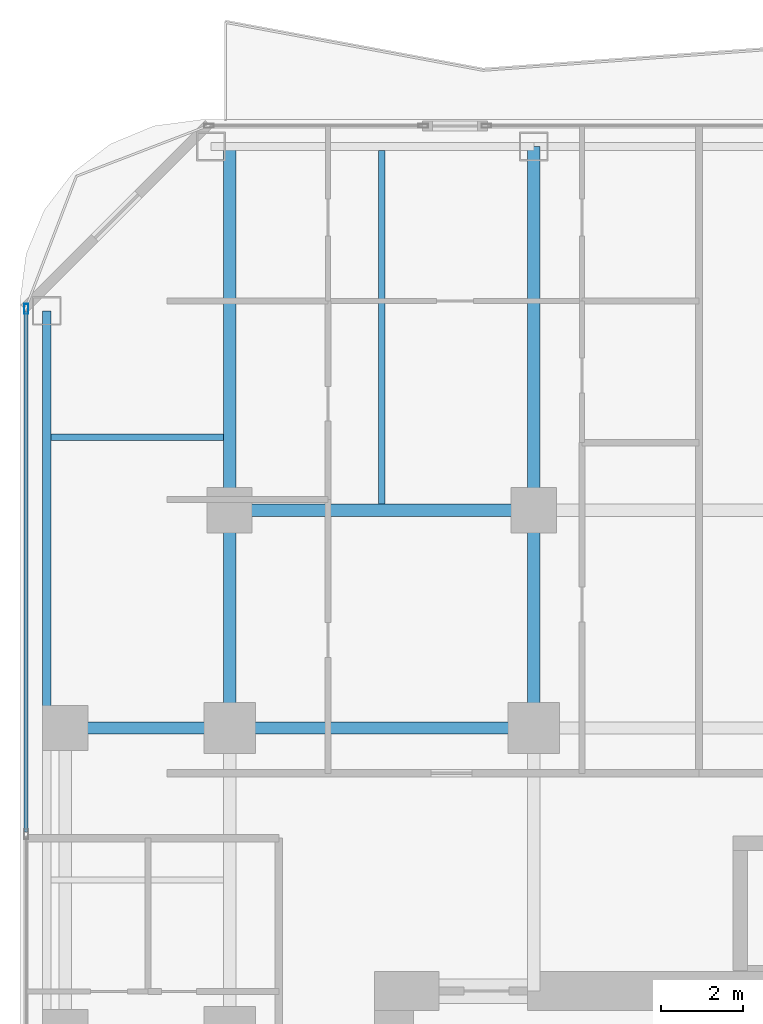
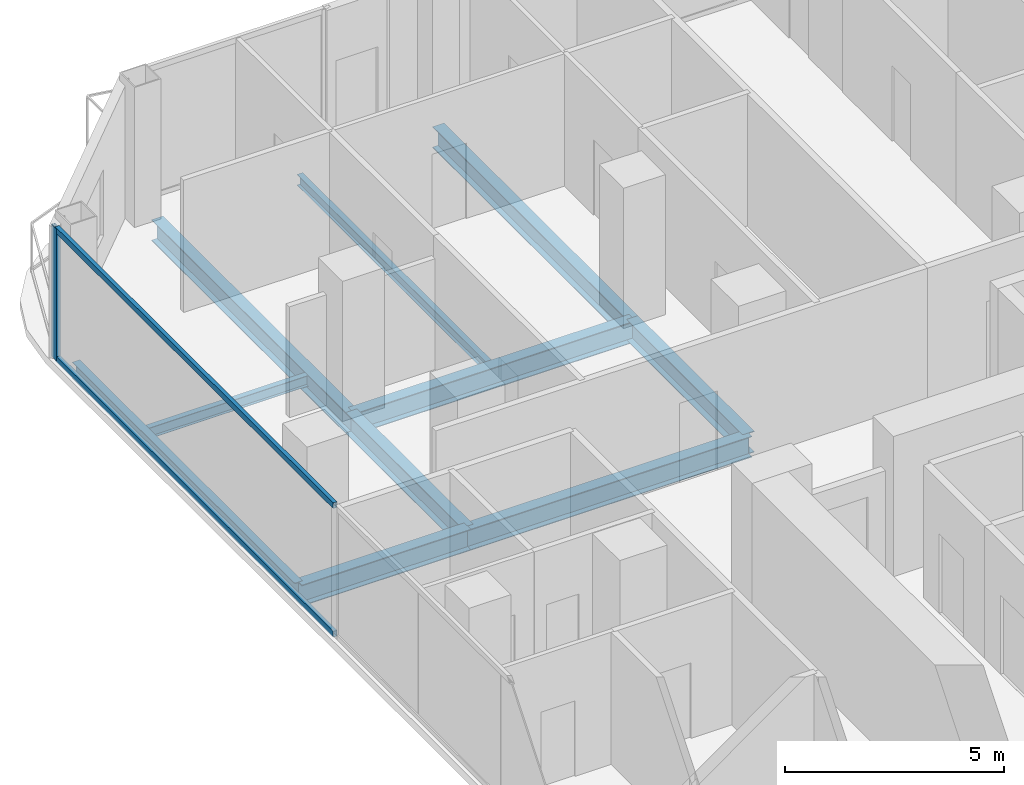
# One storey, part 12 of 26: 10 beams, 3 members, 1 element without a shape of its own.
"""IFC4 building model written with IfcOpenShell, lengths in metres."""

import ifcopenshell
import ifcopenshell.guid

model = None  # the IFC model being written
_history = None  # IfcOwnerHistory: only IFC2X3 demands one
_inside = {}  # id of a spatial element -> (the spatial element, [elements in it])
_under = {}  # id of a project, library or spatial element -> (it, [spatial elements below it])
_declared = {}  # id of a project -> (the project, [libraries it declares])
_typed = {}  # id of a type object -> (the type object, [elements of that type])
_made_of = {}  # id of a material, layer set ... -> (it, [elements and type objects made of it])


def new_model(schema):
    """Start an empty IFC model of exactly this schema.

    Asked for "IFC4X3", IfcOpenShell would pick the latest addendum, in which some entities
    have other attributes; the version numbers below select the first issue.
    IFC2X3 requires an IfcOwnerHistory on every rooted entity: one is made here for all.
    """
    global model, _history
    if schema == "IFC4X3":
        model = ifcopenshell.file(schema_version=(4, 3, 0, 0))
    else:
        model = ifcopenshell.file(schema=schema)
    _inside.clear()
    _under.clear()
    _declared.clear()
    _typed.clear()
    _made_of.clear()
    _history = None
    if model.schema == "IFC2X3":
        org = make("IfcOrganization", Name="unknown")
        user = make(
            "IfcPersonAndOrganization",
            ThePerson=make("IfcPerson", FamilyName="unknown"),
            TheOrganization=org,
        )
        app = make(
            "IfcApplication",
            ApplicationDeveloper=org,
            Version="unknown",
            ApplicationFullName="unknown",
            ApplicationIdentifier="unknown",
        )
        _history = make(
            "IfcOwnerHistory",
            OwningUser=user,
            OwningApplication=app,
            ChangeAction="ADDED",
            CreationDate=0,
        )
    return model


def make(cls, **values):
    """One entity of the class cls with the attributes given. An attribute that is None is left unset."""
    return model.create_entity(
        cls, **{name: value for name, value in values.items() if value is not None}
    )


def rooted(cls, **values):
    """An entity with a GlobalId (a new one), such as an element, a storey or a relation."""
    return make(cls, GlobalId=ifcopenshell.guid.new(), OwnerHistory=_history, **values)


def si_unit(unit_type, name, prefix=None):
    """IfcSIUnit, for example si_unit("LENGTHUNIT", "METRE", prefix="MILLI")."""
    return make("IfcSIUnit", UnitType=unit_type, Prefix=prefix, Name=name)


def assignment(units):
    """IfcUnitAssignment: the units of a project."""
    return None if units is None else make("IfcUnitAssignment", Units=units)


def point(xyz):
    """IfcCartesianPoint."""
    return None if xyz is None else make("IfcCartesianPoint", Coordinates=xyz)


def direction(xyz):
    """IfcDirection."""
    return None if xyz is None else make("IfcDirection", DirectionRatios=xyz)


def frame(location, z_axis=None, x_axis=None):
    """IfcAxis2Placement3D, a coordinate frame: its origin and axes. An axis left out is left unset."""
    return make(
        "IfcAxis2Placement3D",
        Location=point(location),
        Axis=direction(z_axis),
        RefDirection=direction(x_axis),
    )


def frame_2d(location, x_axis=None):
    """IfcAxis2Placement2D, a coordinate frame in the plane: its origin and x axis."""
    return make(
        "IfcAxis2Placement2D", Location=point(location), RefDirection=direction(x_axis)
    )


def origin():
    """The frame at (0, 0, 0) with its axes left unset."""
    return frame((0.0, 0.0, 0.0))


def origin_2d():
    """The frame at (0, 0) in the plane with its x axis left unset."""
    return frame_2d((0.0, 0.0))


def place(relative_to, where):
    """IfcLocalPlacement: puts the frame where relative to a parent placement (None: the world)."""
    return make(
        "IfcLocalPlacement", PlacementRelTo=relative_to, RelativePlacement=where
    )


def context(
    kind, dimensions, precision=None, world=None, true_north=None, identifier=None
):
    """IfcGeometricRepresentationContext, for example the 3D "Model" context."""
    return make(
        "IfcGeometricRepresentationContext",
        ContextIdentifier=identifier,
        ContextType=kind,
        CoordinateSpaceDimension=dimensions,
        Precision=precision,
        WorldCoordinateSystem=world,
        TrueNorth=true_north,
    )


def subcontext(parent, identifier, kind, view, scale=None):
    """IfcGeometricRepresentationSubContext, for example "Body" below "Model"."""
    return make(
        "IfcGeometricRepresentationSubContext",
        ContextIdentifier=identifier,
        ContextType=kind,
        ParentContext=parent,
        TargetScale=scale,
        TargetView=view,
    )


def project(units=None, contexts=None):
    """IfcProject with its units and contexts."""
    return rooted(
        "IfcProject",
        Name="project",
        RepresentationContexts=contexts,
        UnitsInContext=assignment(units),
    )


def spatial(cls, under=None, at=None, **own):
    """A site, building, storey or space (cls), placed at a placement, below another one or the project."""
    s = rooted(cls, ObjectPlacement=at, **own)
    if under is not None:
        _under.setdefault(under.id(), (under, []))[1].append(s)
    return s


def profile(cls, at=None, kind="AREA", **sizes):
    """A parametric profile (cls). Its sizes go by their IFC names, for example OverallWidth=200.0."""
    return make(cls, ProfileType=kind, Position=at, **sizes)


def hollow_rectangle(**sizes):
    """IfcRectangleHollowProfileDef."""
    return profile("IfcRectangleHollowProfileDef", **sizes)


def i_section(**sizes):
    """IfcIShapeProfileDef."""
    return profile("IfcIShapeProfileDef", **sizes)


def extrude(swept, where, along, depth):
    """IfcExtrudedAreaSolid: the profile swept, set in the frame where, extruded along a direction by depth."""
    return make(
        "IfcExtrudedAreaSolid",
        SweptArea=swept,
        Position=where,
        ExtrudedDirection=direction(along),
        Depth=depth,
    )


def shape(context_of_items, identifier, shape_type, items):
    """IfcShapeRepresentation: the items that make up one representation, for example the "Body"."""
    return make(
        "IfcShapeRepresentation",
        ContextOfItems=context_of_items,
        RepresentationIdentifier=identifier,
        RepresentationType=shape_type,
        Items=items,
    )


def material(Name=None, Category=None):
    """IfcMaterial."""
    return make("IfcMaterial", Name=Name, Category=Category)


def layer(
    of_material, thickness, ventilated=None, Name=None, Category=None, Priority=None
):
    """IfcMaterialLayer: one layer of a wall or slab, of a material (None: an air gap)."""
    return make(
        "IfcMaterialLayer",
        Material=of_material,
        LayerThickness=thickness,
        IsVentilated=ventilated,
        Name=Name,
        Category=Category,
        Priority=Priority,
    )


def layer_set(layers, Name=None):
    """IfcMaterialLayerSet."""
    return make("IfcMaterialLayerSet", MaterialLayers=layers, LayerSetName=Name)


def material_profile(
    of_material, cross_section, Name=None, Category=None, Priority=None
):
    """IfcMaterialProfile: a cross section and its material."""
    return make(
        "IfcMaterialProfile",
        Name=Name,
        Material=of_material,
        Profile=cross_section,
        Priority=Priority,
        Category=Category,
    )


def profile_set(profiles, Name=None, composite=None):
    """IfcMaterialProfileSet."""
    return make(
        "IfcMaterialProfileSet",
        Name=Name,
        MaterialProfiles=profiles,
        CompositeProfile=composite,
    )


def made_of(thing, what):
    """Note that an element or type object is made of a material, layer set ...; save() writes the relation."""
    if what is not None:
        _made_of.setdefault(what.id(), (what, []))[1].append(thing)
    return thing


def type_object(cls, material=None, **own):
    """A type object (cls), such as IfcWallType, which elements share."""
    return made_of(rooted(cls, **own), material)


def element(
    cls,
    number,
    at=None,
    inside=None,
    cuts=None,
    type_object=None,
    material=None,
    context=None,
    identifier="Body",
    shape_type=None,
    held_by="IfcProductDefinitionShape",
    body=None,
    shapes=None,
    **own,
):
    """One element of the class cls, such as IfcWall. Its Tag is "e" and its number.

    at: its placement. inside: the storey or other place that contains it. cuts: it is an
    opening in that element (IfcRelVoidsElement). A single representation is given by context,
    identifier, shape_type and body (its items); several are given by shapes. held_by: the class
    of the entity that holds the representations. save() writes the other relations.
    """
    e = rooted(cls, Tag="e%d" % number, ObjectPlacement=at, **own)
    if body is not None:
        shapes = [shape(context, identifier, shape_type, body)]
    if shapes is not None:
        e.Representation = make(held_by, Representations=shapes)
    if inside is not None:
        _inside.setdefault(inside.id(), (inside, []))[1].append(e)
    if cuts is not None:
        rooted(
            "IfcRelVoidsElement", RelatingBuildingElement=cuts, RelatedOpeningElement=e
        )
    if type_object is not None:
        _typed.setdefault(type_object.id(), (type_object, []))[1].append(e)
    return made_of(e, material)


def aggregate(whole, parts):
    """IfcRelAggregates: a whole, such as a stair, and the parts it consists of."""
    return rooted("IfcRelAggregates", RelatingObject=whole, RelatedObjects=parts)


def save(model, path):
    """Write the relations noted so far, then the file.

    IfcRelAggregates (storeys below a building ...), IfcRelContainedInSpatialStructure (elements
    in a storey), IfcRelDefinesByType, IfcRelAssociatesMaterial and IfcRelDeclares: one each for
    every whole, place, type object, material and project.
    """
    for whole, parts in _under.values():
        aggregate(whole, parts)
    for where, things in _inside.values():
        rooted(
            "IfcRelContainedInSpatialStructure",
            RelatedElements=things,
            RelatingStructure=where,
        )
    for kind, things in _typed.values():
        rooted("IfcRelDefinesByType", RelatedObjects=things, RelatingType=kind)
    for what, things in _made_of.values():
        rooted("IfcRelAssociatesMaterial", RelatedObjects=things, RelatingMaterial=what)
    for by, libraries in _declared.values():
        rooted("IfcRelDeclares", RelatingContext=by, RelatedDefinitions=libraries)
    model.write(path)


model = new_model("IFC4")

# Units and contexts
model_context = context("Model", 3, precision=1e-05, world=origin(), true_north=direction((0.0, 1.0)))
body_context = subcontext(model_context, "Body", "Model", "MODEL_VIEW")
ifc_project = project(units=[si_unit("LENGTHUNIT", "METRE"), si_unit("AREAUNIT", "SQUARE_METRE"), si_unit("VOLUMEUNIT", "CUBIC_METRE"), si_unit("PLANEANGLEUNIT", "RADIAN"), si_unit("MASSUNIT", "GRAM", prefix="KILO")], contexts=[model_context])

# Site, building, storey
site_placement = place(None, origin())
site = spatial("IfcSite", under=ifc_project, at=site_placement, CompositionType="ELEMENT")
building_placement = place(site_placement, origin())
building = spatial("IfcBuilding", under=site, at=building_placement, Name="Khorvyn Point Tower", CompositionType="ELEMENT")
storey_placement = place(building_placement, frame((0.0, 0.0, 113.39990234375)))
storey = spatial("IfcBuildingStorey", under=building, at=storey_placement, Name="L28", CompositionType="ELEMENT", Elevation=113.39990234375)

# Curtain wall, members
ifc_material_1 = material(Name="Anodised aluminium 6063-T6 and laminated Low-E glass", Category="aluminium")
ifc_layer = layer(ifc_material_1, 0.18994140625)
ifc_layer_set = layer_set([ifc_layer], Name="Stick-Built Acoustic Curtain Wall CW-SYS-03")
curtain_wall_type = type_object("IfcCurtainWallType", Name="Stick-Built Acoustic Curtain Wall CW-SYS-03", PredefinedType="NOTDEFINED", material=ifc_layer_set)
curtain_wall_placement = place(storey_placement, origin())
curtain_wall = element("IfcCurtainWall", 1, at=curtain_wall_placement, inside=storey, type_object=curtain_wall_type, Name="Curtain Wall", PredefinedType="NOTDEFINED")
ifc_material_2 = material(Name="Anodised aluminium 6063-T6", Category="aluminium")
ifc_material_profile_1 = material_profile(ifc_material_2, hollow_rectangle(XDim=0.10009765625, YDim=0.239990234375, WallThickness=0.0048828125, at=origin_2d()))
ifc_profile_set_1 = profile_set([ifc_material_profile_1], Name="Anodised aluminium 6063-T6 ALU-MUL-100x240")
member_type_1 = type_object("IfcMemberType", Name="Anodised Aluminium 6063-T6 Mullion ALU-MUL-100x240", PredefinedType="MULLION", material=ifc_profile_set_1)
member_1_placement = place(storey_placement, frame((-19.75, 25.0, 0.0), z_axis=(0.0, 0.0, 1.0), x_axis=(-1.0, 0.0, 0.0)))
member_1 = element("IfcMember", 2, at=member_1_placement, type_object=member_type_1, Name="Transom", PredefinedType="MULLION", context=body_context, shape_type="SweptSolid", body=[
    extrude(hollow_rectangle(XDim=0.10009765625, YDim=0.239990234375, WallThickness=0.0048828125, at=origin_2d()), origin(), (0.0, 0.0, 1.0), 3.68017578125),
])
ifc_material_profile_2 = material_profile(ifc_material_2, hollow_rectangle(XDim=0.10009765625, YDim=0.159912109375, WallThickness=0.00439453125, at=origin_2d()))
ifc_profile_set_2 = profile_set([ifc_material_profile_2], Name="Anodised aluminium 6063-T6 ALU-TRN-100x160")
member_type_2 = type_object("IfcMemberType", Name="Anodised Aluminium 6063-T6 Transom ALU-TRN-100x160", PredefinedType="USERDEFINED", material=ifc_profile_set_2)
member_2_placement = place(storey_placement, frame((-19.75, 12.2666015625, 0.050048828125), z_axis=(0.0, 1.0, 0.0), x_axis=(-1.0, 0.0, 0.0)))
member_2 = element("IfcMember", 3, at=member_2_placement, type_object=member_type_2, Name="Transom", ObjectType="TRANSOM", PredefinedType="USERDEFINED", context=body_context, shape_type="SweptSolid", body=[
    extrude(hollow_rectangle(XDim=0.10009765625, YDim=0.159912109375, WallThickness=0.00439453125, at=origin_2d()), origin(), (0.0, 0.0, 1.0), 12.683349609375),
])
member_3_placement = place(storey_placement, frame((-19.75, 12.2666015625, 3.630126953125), z_axis=(0.0, 1.0, 0.0), x_axis=(-1.0, 0.0, 0.0)))
member_3 = element("IfcMember", 4, at=member_3_placement, type_object=member_type_2, Name="Transom", ObjectType="TRANSOM", PredefinedType="USERDEFINED", context=body_context, shape_type="SweptSolid", body=[
    extrude(hollow_rectangle(XDim=0.10009765625, YDim=0.159912109375, WallThickness=0.00439453125, at=origin_2d()), origin(), (0.0, 0.0, 1.0), 12.683349609375),
])
aggregate(curtain_wall, [member_1, member_2, member_3])

# Beams
ifc_material_3 = material(Name="Steel S355", Category="steel")
ifc_material_profile_3 = material_profile(ifc_material_3, i_section(OverallWidth=0.300048828125, OverallDepth=0.587890625, WebThickness=0.011962890625, FlangeThickness=0.02001953125, at=origin_2d()))
ifc_profile_set_3 = profile_set([ifc_material_profile_3], Name="Steel S355 H588x300x12x20")
beam_type_1 = type_object("IfcBeamType", Name="Steel S355 Beam H588x300x12x20", PredefinedType="BEAM", material=ifc_profile_set_3)
beam_1_placement = place(storey_placement, frame((-19.25, 14.800048828125, -0.513916015625), z_axis=(1.0, 0.0, 0.0), x_axis=(0.0, 1.0, 0.0)))
element("IfcBeam", 5, at=beam_1_placement, inside=storey, type_object=beam_type_1, Name="Beam", PredefinedType="BEAM", context=body_context, shape_type="SweptSolid", body=[
    extrude(i_section(OverallWidth=0.300048828125, OverallDepth=0.587890625, WebThickness=0.011962890625, FlangeThickness=0.02001953125, at=origin_2d()), origin(), (0.0, 0.0, 1.0), 4.449951171875),
])
for number, where, z_axis, x_axis, name in (
    (6, (-14.800048828125, 14.800048828125, -0.513916015625), (1.0, 0.0, 0.0), (0.0, 1.0, 0.0), "Beam"),
    (7, (-14.800048828125, 20.10009765625, -0.513916015625), (1.0, 0.0, 0.0), (0.0, 1.0, 0.0), "Beam"),
):
    element("IfcBeam", number, at=place(storey_placement, frame(where, z_axis=z_axis, x_axis=x_axis)), inside=storey, type_object=beam_type_1, Name=name, PredefinedType="BEAM", context=body_context, shape_type="SweptSolid", body=[
        extrude(i_section(OverallWidth=0.300048828125, OverallDepth=0.587890625, WebThickness=0.011962890625, FlangeThickness=0.02001953125, at=origin_2d()), origin(), (0.0, 0.0, 1.0), 7.400146484375),
    ])
beam_2_placement = place(storey_placement, frame((-14.800048828125, 14.800048828125, -0.513916015625), z_axis=(0.0, 1.0, 0.0), x_axis=(-1.0, 0.0, 0.0)))
element("IfcBeam", 8, at=beam_2_placement, inside=storey, type_object=beam_type_1, Name="Beam", PredefinedType="BEAM", context=body_context, shape_type="SweptSolid", body=[
    extrude(i_section(OverallWidth=0.300048828125, OverallDepth=0.587890625, WebThickness=0.011962890625, FlangeThickness=0.02001953125, at=origin_2d()), origin(), (0.0, 0.0, 1.0), 5.300048828125),
])
beam_3_placement = place(storey_placement, frame((-14.800048828125, 20.10009765625, -0.513916015625), z_axis=(0.0, 1.0, 0.0), x_axis=(-1.0, 0.0, 0.0)))
element("IfcBeam", 9, at=beam_3_placement, inside=storey, type_object=beam_type_1, Name="Beam", PredefinedType="BEAM", context=body_context, shape_type="SweptSolid", body=[
    extrude(i_section(OverallWidth=0.300048828125, OverallDepth=0.587890625, WebThickness=0.011962890625, FlangeThickness=0.02001953125, at=origin_2d()), origin(), (0.0, 0.0, 1.0), 8.849853515625),
])
beam_4_placement = place(storey_placement, frame((-7.39990234375, 14.800048828125, -0.513916015625), z_axis=(0.0, 1.0, 0.0), x_axis=(-1.0, 0.0, 0.0)))
element("IfcBeam", 10, at=beam_4_placement, inside=storey, type_object=beam_type_1, Name="Beam", PredefinedType="BEAM", context=body_context, shape_type="SweptSolid", body=[
    extrude(i_section(OverallWidth=0.300048828125, OverallDepth=0.587890625, WebThickness=0.011962890625, FlangeThickness=0.02001953125, at=origin_2d()), origin(), (0.0, 0.0, 1.0), 5.300048828125),
])
beam_5_placement = place(storey_placement, frame((-7.39990234375, 20.10009765625, -0.513916015625), z_axis=(0.0, 1.0, 0.0), x_axis=(-1.0, 0.0, 0.0)))
element("IfcBeam", 11, at=beam_5_placement, inside=storey, type_object=beam_type_1, Name="Beam", PredefinedType="BEAM", context=body_context, shape_type="SweptSolid", body=[
    extrude(i_section(OverallWidth=0.300048828125, OverallDepth=0.587890625, WebThickness=0.011962890625, FlangeThickness=0.02001953125, at=origin_2d()), origin(), (0.0, 0.0, 1.0), 8.849853515625),
])
ifc_material_profile_4 = material_profile(ifc_material_3, i_section(OverallWidth=0.14990234375, OverallDepth=0.300048828125, WebThickness=0.006591796875, FlangeThickness=0.009033203125, at=origin_2d()))
ifc_profile_set_4 = profile_set([ifc_material_profile_4], Name="Steel S355 H300x150x6.5x9")
beam_type_2 = type_object("IfcBeamType", Name="Steel S355 Joist H300x150x6.5x9", PredefinedType="JOIST", material=ifc_profile_set_4)
beam_6_placement = place(storey_placement, frame((-11.10009765625, 20.25, -0.369873046875), z_axis=(0.0, 1.0, 0.0), x_axis=(-1.0, 0.0, 0.0)))
element("IfcBeam", 12, at=beam_6_placement, inside=storey, type_object=beam_type_2, Name="Beam", PredefinedType="JOIST", context=body_context, shape_type="SweptSolid", body=[
    extrude(i_section(OverallWidth=0.14990234375, OverallDepth=0.300048828125, WebThickness=0.006591796875, FlangeThickness=0.009033203125, at=origin_2d()), origin(), (0.0, 0.0, 1.0), 8.60009765625),
])
beam_7_placement = place(storey_placement, frame((-19.14990234375, 21.875, -0.369873046875), z_axis=(1.0, 0.0, 0.0), x_axis=(0.0, 1.0, 0.0)))
element("IfcBeam", 13, at=beam_7_placement, inside=storey, type_object=beam_type_2, Name="Beam", PredefinedType="JOIST", context=body_context, shape_type="SweptSolid", body=[
    extrude(i_section(OverallWidth=0.14990234375, OverallDepth=0.300048828125, WebThickness=0.006591796875, FlangeThickness=0.009033203125, at=origin_2d()), origin(), (0.0, 0.0, 1.0), 4.199951171875),
])
ifc_material_profile_5 = material_profile(ifc_material_3, i_section(OverallWidth=0.199951171875, OverallDepth=0.449951171875, WebThickness=0.009033203125, FlangeThickness=0.013916015625, at=origin_2d()))
ifc_profile_set_5 = profile_set([ifc_material_profile_5], Name="Steel S355 H450x200x9x14")
beam_type_3 = type_object("IfcBeamType", Name="Steel S355 Spandrel H450x200x9x14", PredefinedType="SPANDREL", material=ifc_profile_set_5)
beam_8_placement = place(storey_placement, frame((-19.25, 14.800048828125, -0.44482421875), z_axis=(0.0, 1.0, 0.0), x_axis=(-1.0, 0.0, 0.0)))
element("IfcBeam", 14, at=beam_8_placement, inside=storey, type_object=beam_type_3, Name="Beam", PredefinedType="SPANDREL", context=body_context, shape_type="SweptSolid", body=[
    extrude(i_section(OverallWidth=0.199951171875, OverallDepth=0.449951171875, WebThickness=0.009033203125, FlangeThickness=0.013916015625, at=origin_2d()), origin(), (0.0, 0.0, 1.0), 10.14990234375),
])

save(model, "model.ifc")
